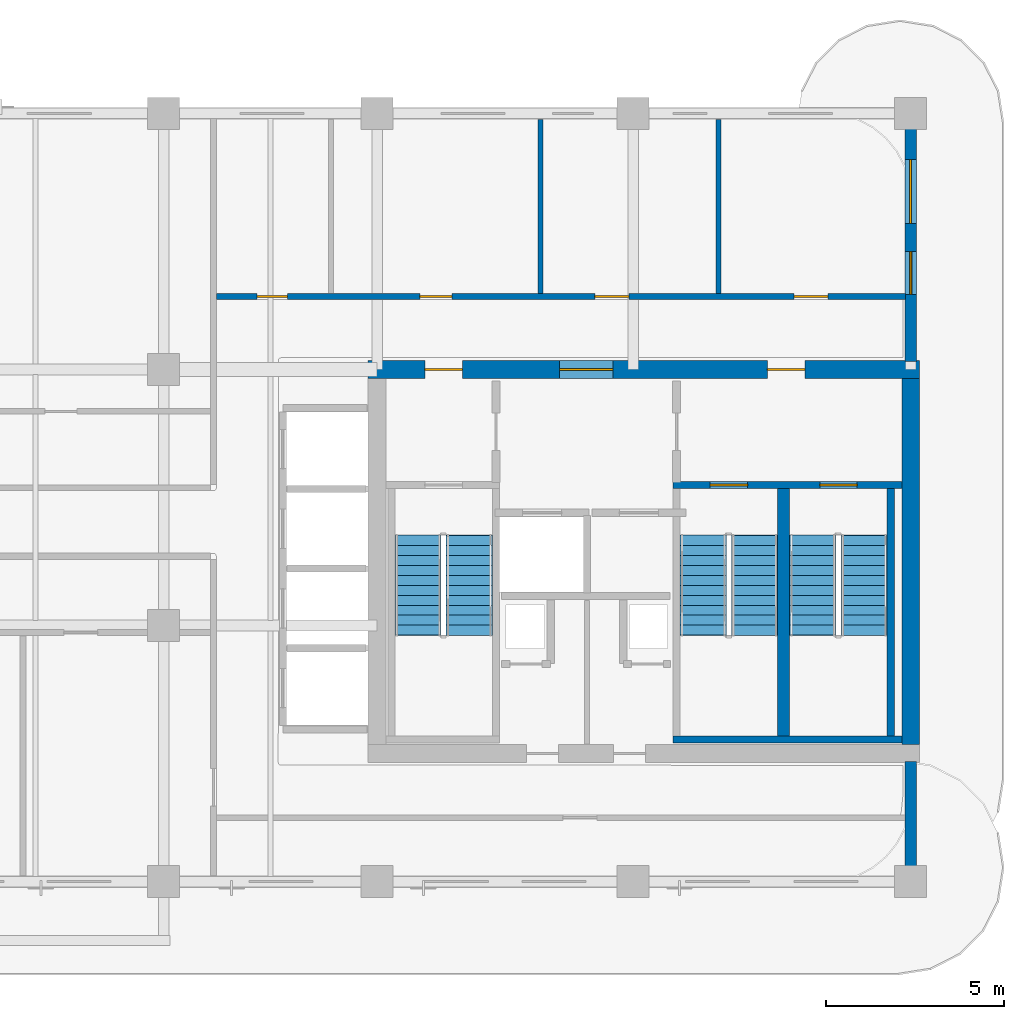
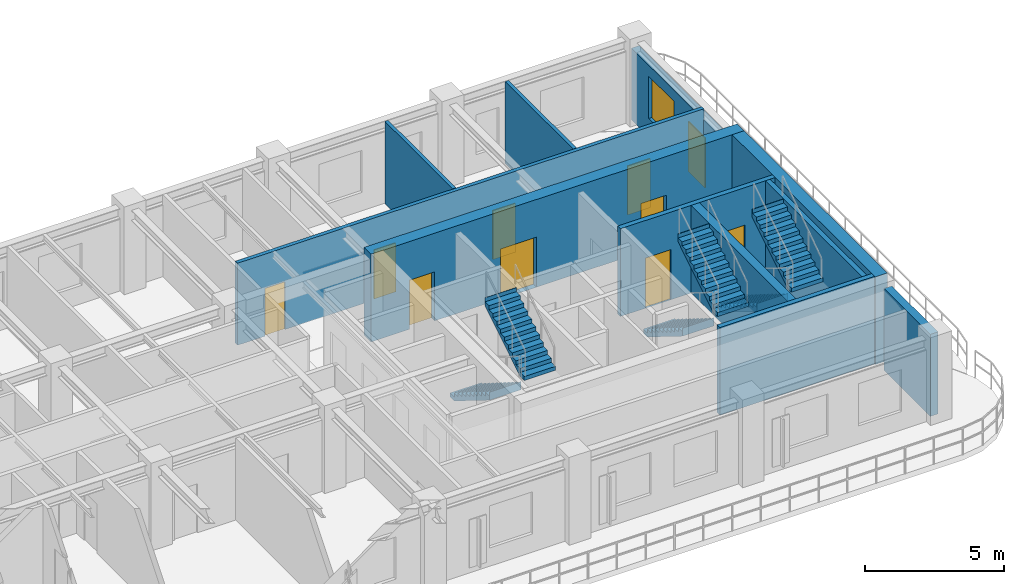
# One storey, part 5 of 7: 11 walls, 10 doors, 6 stair flights, 1 window, 11 openings, 3 elements without a shape of their own.
"""IFC4 building model written with IfcOpenShell, lengths in metres."""

from ifc_helpers import new_model, si_unit, derived_unit, direction, frame, frame_2d, origin, place, context, subcontext, project, spatial, polyline, rectangle, outline, extrude, source, transform, mapped, material, layer, layer_set, type_object, type_shapes, element, fill, aggregate, save


model = new_model("IFC4")

# Units and contexts
model_context = context("Model", 3, precision=1e-05, world=origin(), true_north=direction((0.0, 1.0)))
body_context = subcontext(model_context, "Body", "Model", "MODEL_VIEW")
ifc_project = project(units=[si_unit("LENGTHUNIT", "METRE"), si_unit("AREAUNIT", "SQUARE_METRE"), si_unit("VOLUMEUNIT", "CUBIC_METRE"), si_unit("PLANEANGLEUNIT", "RADIAN"), si_unit("MASSUNIT", "GRAM", prefix="KILO"), si_unit("THERMODYNAMICTEMPERATUREUNIT", "KELVIN"), si_unit("POWERUNIT", "WATT"), derived_unit("THERMALTRANSMITTANCEUNIT", [(si_unit("POWERUNIT", "WATT"), 1), (si_unit("AREAUNIT", "SQUARE_METRE"), -1), (si_unit("THERMODYNAMICTEMPERATUREUNIT", "KELVIN"), -1)])], contexts=[model_context])

# Site, building, storey
site_placement = place(None, origin())
site = spatial("IfcSite", under=ifc_project, at=site_placement, CompositionType="ELEMENT")
building_placement = place(site_placement, origin())
building = spatial("IfcBuilding", under=site, at=building_placement, Name="Zahravan Archway Hotel and Residences", CompositionType="ELEMENT")
storey_placement = place(building_placement, frame((0.0, 0.0, 217.300048828125)))
storey = spatial("IfcBuildingStorey", under=building, at=storey_placement, Name="L54", CompositionType="ELEMENT", Elevation=217.300048828125)

# Wall, openings, doors
ifc_material_1 = material(Name="Concrete C60/75", Category="concrete")
ifc_layer_1 = layer(ifc_material_1, 0.5, Name="Concrete C60/75", Category="concrete")
ifc_layer_set_1 = layer_set([ifc_layer_1], Name="Concrete C60/75")
wall_type_1 = type_object("IfcWallType", Name="CW-CORE-500", PredefinedType="SHEAR", material=ifc_layer_set_1)
wall_1_placement = place(storey_placement, frame((34.550048828125, 14.39990234375, 0.0), z_axis=(0.0, 0.0, 1.0), x_axis=(1.0, 0.0, 0.0)))
wall_1 = element("IfcWall", 1, at=wall_1_placement, inside=storey, type_object=wall_type_1, Name="L54 Core A Shear N Wall 500 mm", PredefinedType="SHEAR", context=body_context, shape_type="SweptSolid", body=[
    extrude(rectangle(XDim=15.5, YDim=0.5, at=frame_2d((7.75, 0.0))), origin(), (0.0, 0.0, 1.0), 3.849853515625),
])
opening_1_placement = place(wall_1_placement, frame((5.3798828125, 0.0, 0.0)))
opening_1 = element("IfcOpeningElement", 2, at=opening_1_placement, cuts=wall_1, Name="Opening FD-L1", PredefinedType="OPENING", context=body_context, shape_type="SweptSolid", body=[
    extrude(rectangle(XDim=1.5, YDim=2.199951171875, at=frame_2d((0.75, 1.10009765625))), frame((0.0, 0.260009765625, 0.0), z_axis=(0.0, -1.0, 0.0), x_axis=(1.0, 0.0, 0.0)), (0.0, 0.0, 1.0), 0.52001953125),
])
opening_2_placement = place(wall_1_placement, frame((1.594970703125, 0.0, 0.0)))
opening_2 = element("IfcOpeningElement", 3, at=opening_2_placement, cuts=wall_1, Name="Opening FD-L2", PredefinedType="OPENING", context=body_context, shape_type="SweptSolid", body=[
    extrude(rectangle(XDim=1.050048828125, YDim=2.14990234375, at=frame_2d((0.52490234375, 1.074951171875))), frame((0.0, 0.260009765625, 0.0), z_axis=(0.0, -1.0, 0.0), x_axis=(1.0, 0.0, 0.0)), (0.0, 0.0, 1.0), 0.52001953125),
])
opening_3_placement = place(wall_1_placement, frame((11.22509765625, 0.0, 0.0)))
opening_3 = element("IfcOpeningElement", 4, at=opening_3_placement, cuts=wall_1, Name="Opening FD-L2", PredefinedType="OPENING", context=body_context, shape_type="SweptSolid", body=[
    extrude(rectangle(XDim=1.050048828125, YDim=2.14990234375, at=frame_2d((0.52490234375, 1.074951171875))), frame((0.0, 0.260009765625, 0.0), z_axis=(0.0, -1.0, 0.0), x_axis=(1.0, 0.0, 0.0)), (0.0, 0.0, 1.0), 0.52001953125),
])
ifc_material_2 = material(Name="Fire-Rated Painted Steel", Category="steel")
door_type_1 = type_object("IfcDoorType", Name="FD-LOBBY-1100", OperationType="NOTDEFINED", PredefinedType="DOOR", material=ifc_material_2)
shared_shape_1 = source(origin(), body_context, "Body", "SweptSolid", [
    extrude(rectangle(XDim=1.050048828125, YDim=2.14990234375, at=frame_2d((0.52490234375, 1.074951171875))), frame((0.0, 0.02490234375, 0.0), z_axis=(0.0, -1.0, 0.0), x_axis=(1.0, 0.0, 0.0)), (0.0, 0.0, 1.0), 0.050048828125),
])
type_shapes(door_type_1, [shared_shape_1])
door_1_placement = place(opening_2_placement, origin())
door_1 = element("IfcDoor", 5, at=door_1_placement, inside=storey, type_object=door_type_1, Name="L54 Core A West Stair Lobby Door", OperationType="SINGLE_SWING_LEFT", OverallHeight=2.14990234375, OverallWidth=1.050048828125, PredefinedType="DOOR", context=body_context, shape_type="MappedRepresentation", body=[
    mapped(shared_shape_1, transform((0.0, 0.0, 0.0), scale=1.0)),
])
fill(opening_2, door_1)
door_2_placement = place(opening_3_placement, origin())
door_2 = element("IfcDoor", 6, at=door_2_placement, inside=storey, type_object=door_type_1, Name="L54 Core A East Stair Lobby Door", OperationType="SINGLE_SWING_RIGHT", OverallHeight=2.14990234375, OverallWidth=1.050048828125, PredefinedType="DOOR", context=body_context, shape_type="MappedRepresentation", body=[
    mapped(shared_shape_1, transform((0.0, 0.0, 0.0), scale=1.0)),
])
fill(opening_3, door_2)
door_type_2 = type_object("IfcDoorType", Name="FD-LOBBY-1500", OperationType="DOUBLE_DOOR_SINGLE_SWING", PredefinedType="DOOR", material=ifc_material_2)
shared_shape_2 = source(origin(), body_context, "Body", "SweptSolid", [
    extrude(rectangle(XDim=1.5, YDim=2.199951171875, at=frame_2d((0.75, 1.10009765625))), frame((0.0, 0.02490234375, 0.0), z_axis=(0.0, -1.0, 0.0), x_axis=(1.0, 0.0, 0.0)), (0.0, 0.0, 1.0), 0.050048828125),
])
type_shapes(door_type_2, [shared_shape_2])
door_3_placement = place(opening_1_placement, origin())
door_3 = element("IfcDoor", 7, at=door_3_placement, inside=storey, type_object=door_type_2, Name="L54 Core A FSAE Lobby Main Door", OperationType="DOUBLE_DOOR_SINGLE_SWING", OverallHeight=2.199951171875, OverallWidth=1.5, PredefinedType="DOOR", context=body_context, shape_type="MappedRepresentation", body=[
    mapped(shared_shape_2, transform((0.0, 0.0, 0.0), scale=1.0)),
])
fill(opening_1, door_3)

# Walls
wall_2_placement = place(storey_placement, frame((49.800048828125, 3.85009765625, 0.0), z_axis=(0.0, 0.0, 1.0), x_axis=(0.0, 1.0, 0.0)))
element("IfcWall", 8, at=wall_2_placement, inside=storey, type_object=wall_type_1, Name="L54 Core A Shear E Wall 500 mm", PredefinedType="SHEAR", context=body_context, shape_type="SweptSolid", body=[
    extrude(rectangle(XDim=10.2998046875, YDim=0.5, at=frame_2d((5.14990234375, 0.0))), origin(), (0.0, 0.0, 1.0), 3.849853515625),
])
ifc_material_3 = material(Name="Agra Buff Sandstone & Insulated Backup", Category="masonry")
ifc_layer_2 = layer(ifc_material_3, 0.320068359375, Name="Agra Buff Sandstone & Insulated Backup", Category="masonry")
ifc_layer_set_2 = layer_set([ifc_layer_2], Name="Agra Buff Sandstone & Insulated Backup")
wall_type_2 = type_object("IfcWallType", Name="EW-SAND-320", PredefinedType="SOLIDWALL", material=ifc_layer_set_2)
wall_3_placement = place(storey_placement, frame((49.800048828125, 0.050048828125, 0.0), z_axis=(0.0, 0.0, 1.0), x_axis=(0.0, 1.0, 0.0)))
element("IfcWall", 9, at=wall_3_placement, inside=storey, type_object=wall_type_2, Name="L54 Exterior Sandstone Wall WA-ES", PredefinedType="SOLIDWALL", context=body_context, shape_type="SweptSolid", body=[
    extrude(rectangle(XDim=3.329833984375, YDim=0.320068359375, at=frame_2d((1.6650390625, 0.0))), origin(), (0.0, 0.0, 1.0), 3.599853515625),
])

# Wall, openings, door, window
wall_4_placement = place(storey_placement, frame((49.800048828125, 14.6201171875, 0.0), z_axis=(0.0, 0.0, 1.0), x_axis=(0.0, 1.0, 0.0)))
wall_4 = element("IfcWall", 10, at=wall_4_placement, inside=storey, type_object=wall_type_2, Name="L54 Exterior Sandstone Wall WA-EN", PredefinedType="SOLIDWALL", context=body_context, shape_type="SweptSolid", body=[
    extrude(rectangle(XDim=6.929931640625, YDim=0.320068359375, at=frame_2d((3.46484375, 0.0))), origin(), (0.0, 0.0, 1.0), 3.135009765625),
])
opening_4_placement = place(wall_4_placement, frame((1.888916015625, 0.0, 0.0)))
opening_4 = element("IfcOpeningElement", 11, at=opening_4_placement, cuts=wall_4, Name="Opening ED-BL1", PredefinedType="OPENING", context=body_context, shape_type="SweptSolid", body=[
    extrude(rectangle(XDim=1.199951171875, YDim=2.199951171875, at=frame_2d((0.60009765625, 1.10009765625))), frame((0.0, 0.169921875, 0.0), z_axis=(0.0, -1.0, 0.0), x_axis=(1.0, 0.0, 0.0)), (0.0, 0.0, 1.0), 0.340087890625),
])
opening_5_placement = place(wall_4_placement, frame((3.884033203125, 0.0, 0.800048828125)))
opening_5 = element("IfcOpeningElement", 12, at=opening_5_placement, cuts=wall_4, Name="Opening W-02", PredefinedType="OPENING", context=body_context, shape_type="SweptSolid", body=[
    extrude(rectangle(XDim=1.800048828125, YDim=1.85009765625, at=frame_2d((0.89990234375, 0.925048828125))), frame((0.0, 0.169921875, 0.0), z_axis=(0.0, -1.0, 0.0), x_axis=(1.0, 0.0, 0.0)), (0.0, 0.0, 1.0), 0.340087890625),
])
ifc_material_4 = material(Name="Bronze-Anodized Glazed Aluminium", Category="aluminium")
door_type_3 = type_object("IfcDoorType", Name="ED-BALC-1200", OperationType="SLIDING_TO_LEFT", PredefinedType="DOOR", material=ifc_material_4)
shared_shape_3 = source(origin(), body_context, "Body", "SweptSolid", [
    extrude(rectangle(XDim=1.199951171875, YDim=2.199951171875, at=frame_2d((0.60009765625, 1.10009765625))), frame((0.0, 0.02490234375, 0.0), z_axis=(0.0, -1.0, 0.0), x_axis=(1.0, 0.0, 0.0)), (0.0, 0.0, 1.0), 0.050048828125),
])
type_shapes(door_type_3, [shared_shape_3])
door_4_placement = place(opening_4_placement, origin())
door_4 = element("IfcDoor", 13, at=door_4_placement, inside=storey, type_object=door_type_3, Name="L54 Outdoor Access Sliding Door (SLB-BAL-L54-EA)", OperationType="SLIDING_TO_LEFT", OverallHeight=2.199951171875, OverallWidth=1.199951171875, PredefinedType="DOOR", context=body_context, shape_type="MappedRepresentation", body=[
    mapped(shared_shape_3, transform((0.0, 0.0, 0.0), scale=1.0)),
])
fill(opening_4, door_4)
ifc_material_5 = material(Name="Bronze-Anodized Thermal-Break Aluminium & Low-E Glass", Category="aluminium")
window_type = type_object("IfcWindowType", Name="WIN-TWR-1800", PartitioningType="DOUBLE_PANEL_VERTICAL", PredefinedType="WINDOW", material=ifc_material_5)
shared_shape_4 = source(origin(), body_context, "Body", "SweptSolid", [
    extrude(rectangle(XDim=1.800048828125, YDim=1.85009765625, at=frame_2d((0.89990234375, 0.925048828125))), frame((0.0, 0.030029296875, 0.0), z_axis=(0.0, -1.0, 0.0), x_axis=(1.0, 0.0, 0.0)), (0.0, 0.0, 1.0), 0.06005859375),
])
type_shapes(window_type, [shared_shape_4])
window_placement = place(opening_5_placement, origin())
window = element("IfcWindow", 14, at=window_placement, inside=storey, type_object=window_type, Name="L54 Loggia Window 10", OverallHeight=1.85009765625, OverallWidth=1.800048828125, PartitioningType="DOUBLE_PANEL_VERTICAL", PredefinedType="WINDOW", context=body_context, shape_type="MappedRepresentation", body=[
    mapped(shared_shape_4, transform((0.0, 0.0, 0.0), scale=1.0)),
])
fill(opening_5, window)

# Wall, openings, doors
ifc_material_6 = material(Name="Fire-Rated Gypsum & Concrete Block", Category="concrete")
ifc_layer_3 = layer(ifc_material_6, 0.159912109375, Name="Fire-Rated Gypsum & Concrete Block", Category="concrete")
ifc_layer_set_3 = layer_set([ifc_layer_3], Name="Fire-Rated Gypsum & Concrete Block")
wall_type_3 = type_object("IfcWallType", Name="PW-CORR-160", PredefinedType="PARTITIONING", material=ifc_layer_set_3)
wall_5_placement = place(storey_placement, frame((30.2900390625, 16.449951171875, 0.0), z_axis=(0.0, 0.0, 1.0), x_axis=(1.0, 0.0, 0.0)))
wall_5 = element("IfcWall", 15, at=wall_5_placement, inside=storey, type_object=wall_type_3, Name="L54 Partition WA-FN", PredefinedType="PARTITIONING", context=body_context, shape_type="SweptSolid", body=[
    extrude(rectangle(XDim=19.369873046875, YDim=0.159912109375, at=frame_2d((9.68505859375, 0.0))), origin(), (0.0, 0.0, 1.0), 3.599853515625),
])
opening_6_placement = place(wall_5_placement, frame((1.135009765625, 0.0, 0.0)))
opening_6 = element("IfcOpeningElement", 16, at=opening_6_placement, cuts=wall_5, Name="Opening D-B1", PredefinedType="OPENING", context=body_context, shape_type="SweptSolid", body=[
    extrude(rectangle(XDim=0.85009765625, YDim=2.10009765625, at=frame_2d((0.425048828125, 1.050048828125))), frame((0.0, 0.08984375, 0.0), z_axis=(0.0, -1.0, 0.0), x_axis=(1.0, 0.0, 0.0)), (0.0, 0.0, 1.0), 0.179931640625),
])
opening_7_placement = place(wall_5_placement, frame((5.7099609375, 0.0, 0.0)))
opening_7 = element("IfcOpeningElement", 17, at=opening_7_placement, cuts=wall_5, Name="Opening D-I2", PredefinedType="OPENING", context=body_context, shape_type="SweptSolid", body=[
    extrude(rectangle(XDim=0.89990234375, YDim=2.14990234375, at=frame_2d((0.449951171875, 1.074951171875))), frame((0.0, 0.08984375, 0.0), z_axis=(0.0, -1.0, 0.0), x_axis=(1.0, 0.0, 0.0)), (0.0, 0.0, 1.0), 0.179931640625),
])
opening_8_placement = place(wall_5_placement, frame((10.635009765625, 0.0, 0.0)))
opening_8 = element("IfcOpeningElement", 18, at=opening_8_placement, cuts=wall_5, Name="Opening D-I1", PredefinedType="OPENING", context=body_context, shape_type="SweptSolid", body=[
    extrude(rectangle(XDim=0.949951171875, YDim=2.14990234375, at=frame_2d((0.47509765625, 1.074951171875))), frame((0.0, 0.08984375, 0.0), z_axis=(0.0, -1.0, 0.0), x_axis=(1.0, 0.0, 0.0)), (0.0, 0.0, 1.0), 0.179931640625),
])
opening_9_placement = place(wall_5_placement, frame((16.235107421875, 0.0, 0.0)))
opening_9 = element("IfcOpeningElement", 19, at=opening_9_placement, cuts=wall_5, Name="Opening D-I1", PredefinedType="OPENING", context=body_context, shape_type="SweptSolid", body=[
    extrude(rectangle(XDim=0.949951171875, YDim=2.14990234375, at=frame_2d((0.47509765625, 1.074951171875))), frame((0.0, 0.08984375, 0.0), z_axis=(0.0, -1.0, 0.0), x_axis=(1.0, 0.0, 0.0)), (0.0, 0.0, 1.0), 0.179931640625),
])
ifc_material_7 = material(Name="Hardwood Veneer Timber", Category="wood")
door_type_4 = type_object("IfcDoorType", Name="ID-BATH-850", OperationType="NOTDEFINED", PredefinedType="DOOR", material=ifc_material_7)
shared_shape_5 = source(origin(), body_context, "Body", "SweptSolid", [
    extrude(rectangle(XDim=0.85009765625, YDim=2.10009765625, at=frame_2d((0.425048828125, 1.050048828125))), frame((0.0, 0.02490234375, 0.0), z_axis=(0.0, -1.0, 0.0), x_axis=(1.0, 0.0, 0.0)), (0.0, 0.0, 1.0), 0.050048828125),
])
type_shapes(door_type_4, [shared_shape_5])
door_5_placement = place(opening_6_placement, origin())
door_5 = element("IfcDoor", 20, at=door_5_placement, inside=storey, type_object=door_type_4, Name="L54 Accessible WC Door", OperationType="SINGLE_SWING_LEFT", OverallHeight=2.10009765625, OverallWidth=0.85009765625, PredefinedType="DOOR", context=body_context, shape_type="MappedRepresentation", body=[
    mapped(shared_shape_5, transform((0.0, 0.0, 0.0), scale=1.0)),
])
fill(opening_6, door_5)
door_type_5 = type_object("IfcDoorType", Name="ID-INT-950", OperationType="NOTDEFINED", PredefinedType="DOOR", material=ifc_material_7)
shared_shape_6 = source(origin(), body_context, "Body", "SweptSolid", [
    extrude(rectangle(XDim=0.949951171875, YDim=2.14990234375, at=frame_2d((0.47509765625, 1.074951171875))), frame((0.0, 0.02490234375, 0.0), z_axis=(0.0, -1.0, 0.0), x_axis=(1.0, 0.0, 0.0)), (0.0, 0.0, 1.0), 0.050048828125),
])
type_shapes(door_type_5, [shared_shape_6])
door_6_placement = place(opening_8_placement, origin())
door_6 = element("IfcDoor", 21, at=door_6_placement, inside=storey, type_object=door_type_5, Name="L54 Boardroom Door", OperationType="SINGLE_SWING_LEFT", OverallHeight=2.14990234375, OverallWidth=0.949951171875, PredefinedType="DOOR", context=body_context, shape_type="MappedRepresentation", body=[
    mapped(shared_shape_6, transform((0.0, 0.0, 0.0), scale=1.0)),
])
fill(opening_8, door_6)
door_7_placement = place(opening_9_placement, origin())
door_7 = element("IfcDoor", 22, at=door_7_placement, inside=storey, type_object=door_type_5, Name="L54 Therapy Clinic Door", OperationType="SINGLE_SWING_RIGHT", OverallHeight=2.14990234375, OverallWidth=0.949951171875, PredefinedType="DOOR", context=body_context, shape_type="MappedRepresentation", body=[
    mapped(shared_shape_6, transform((0.0, 0.0, 0.0), scale=1.0)),
])
fill(opening_9, door_7)
door_type_6 = type_object("IfcDoorType", Name="ID-INT-900", OperationType="NOTDEFINED", PredefinedType="DOOR", material=ifc_material_7)
shared_shape_7 = source(origin(), body_context, "Body", "SweptSolid", [
    extrude(rectangle(XDim=0.89990234375, YDim=2.14990234375, at=frame_2d((0.449951171875, 1.074951171875))), frame((0.0, 0.02490234375, 0.0), z_axis=(0.0, -1.0, 0.0), x_axis=(1.0, 0.0, 0.0)), (0.0, 0.0, 1.0), 0.050048828125),
])
type_shapes(door_type_6, [shared_shape_7])
door_8_placement = place(opening_7_placement, origin())
door_8 = element("IfcDoor", 23, at=door_8_placement, inside=storey, type_object=door_type_6, Name="L54 Pantry Door", OperationType="SINGLE_SWING_RIGHT", OverallHeight=2.14990234375, OverallWidth=0.89990234375, PredefinedType="DOOR", context=body_context, shape_type="MappedRepresentation", body=[
    mapped(shared_shape_7, transform((0.0, 0.0, 0.0), scale=1.0)),
])
fill(opening_7, door_8)

# Walls
ifc_material_8 = material(Name="Moisture-Resistant Blockwork", Category="masonry")
ifc_layer_4 = layer(ifc_material_8, 0.139892578125, Name="Moisture-Resistant Blockwork", Category="masonry")
ifc_layer_set_4 = layer_set([ifc_layer_4], Name="Moisture-Resistant Blockwork")
wall_type_4 = type_object("IfcWallType", Name="PW-WET-140", PredefinedType="PARTITIONING", material=ifc_layer_set_4)
for number, where, z_axis, x_axis, name in (
    (24, (39.39990234375, 16.5400390625, 0.0), (0.0, 0.0, 1.0), (0.0, 1.0, 0.0), "L54 Partition NE2-2"),
    (25, (44.39990234375, 16.5400390625, 0.0), (0.0, 0.0, 1.0), (0.0, 1.0, 0.0), "L54 Partition NE2-3"),
):
    element("IfcWall", number, at=place(storey_placement, frame(where, z_axis=z_axis, x_axis=x_axis)), inside=storey, type_object=wall_type_4, Name=name, PredefinedType="PARTITIONING", context=body_context, shape_type="SweptSolid", body=[
        extrude(rectangle(XDim=4.891845703125, YDim=0.139892578125, at=frame_2d((2.44580078125, 0.0))), origin(), (0.0, 0.0, 1.0), 3.599853515625),
    ])
ifc_material_9 = material(Name="Concrete C50/60", Category="concrete")
ifc_layer_5 = layer(ifc_material_9, 0.199951171875, Name="Concrete C50/60", Category="concrete")
ifc_layer_set_5 = layer_set([ifc_layer_5], Name="Concrete C50/60")
wall_type_5 = type_object("IfcWallType", Name="SW-STAIR-200", PredefinedType="SHEAR", material=ifc_layer_set_5)
wall_6_placement = place(storey_placement, frame((43.1201171875, 4.0, 0.0), z_axis=(0.0, 0.0, 1.0), x_axis=(1.0, 0.0, 0.0)))
element("IfcWall", 26, at=wall_6_placement, inside=storey, type_object=wall_type_5, Name="L54 Stairwell RC Wall CA-SA23S", PredefinedType="SHEAR", context=body_context, shape_type="SweptSolid", body=[
    extrude(rectangle(XDim=6.429931640625, YDim=0.199951171875, at=frame_2d((3.21484375, 0.0))), origin(), (0.0, 0.0, 1.0), 3.849853515625),
])
wall_7_placement = place(storey_placement, frame((49.239990234375, 4.10009765625, 0.0), z_axis=(0.0, 0.0, 1.0), x_axis=(0.0, 1.0, 0.0)))
element("IfcWall", 27, at=wall_7_placement, inside=storey, type_object=wall_type_5, Name="L54 Stairwell RC Wall CA-SA3E", PredefinedType="SHEAR", context=body_context, shape_type="SweptSolid", body=[
    extrude(rectangle(XDim=6.949951171875, YDim=0.199951171875, at=frame_2d((3.47509765625, 0.0))), origin(), (0.0, 0.0, 1.0), 3.849853515625),
])

# Wall, openings, doors
wall_8_placement = place(storey_placement, frame((43.1201171875, 11.14990234375, 0.0), z_axis=(0.0, 0.0, 1.0), x_axis=(1.0, 0.0, 0.0)))
wall_8 = element("IfcWall", 28, at=wall_8_placement, inside=storey, type_object=wall_type_5, Name="L54 Stairwell RC Wall CA-SA23N", PredefinedType="SHEAR", context=body_context, shape_type="SweptSolid", body=[
    extrude(rectangle(XDim=6.429931640625, YDim=0.199951171875, at=frame_2d((3.21484375, 0.0))), origin(), (0.0, 0.0, 1.0), 3.849853515625),
])
opening_10_placement = place(wall_8_placement, frame((1.044921875, 0.0, 0.0)))
opening_10 = element("IfcOpeningElement", 29, at=opening_10_placement, cuts=wall_8, Name="Opening FD-S1", PredefinedType="OPENING", context=body_context, shape_type="SweptSolid", body=[
    extrude(rectangle(XDim=1.050048828125, YDim=2.199951171875, at=frame_2d((0.52490234375, 1.10009765625))), frame((0.0, 0.10986328125, 0.0), z_axis=(0.0, -1.0, 0.0), x_axis=(1.0, 0.0, 0.0)), (0.0, 0.0, 1.0), 0.219970703125),
])
opening_11_placement = place(wall_8_placement, frame((4.125, 0.0, 0.0)))
opening_11 = element("IfcOpeningElement", 30, at=opening_11_placement, cuts=wall_8, Name="Opening FD-S1", PredefinedType="OPENING", context=body_context, shape_type="SweptSolid", body=[
    extrude(rectangle(XDim=1.050048828125, YDim=2.199951171875, at=frame_2d((0.52490234375, 1.10009765625))), frame((0.0, 0.10986328125, 0.0), z_axis=(0.0, -1.0, 0.0), x_axis=(1.0, 0.0, 0.0)), (0.0, 0.0, 1.0), 0.219970703125),
])
door_type_7 = type_object("IfcDoorType", Name="FD-STAIR-1100", OperationType="NOTDEFINED", PredefinedType="DOOR", material=ifc_material_2)
shared_shape_8 = source(origin(), body_context, "Body", "SweptSolid", [
    extrude(rectangle(XDim=1.050048828125, YDim=2.199951171875, at=frame_2d((0.52490234375, 1.10009765625))), frame((0.0, 0.02490234375, 0.0), z_axis=(0.0, -1.0, 0.0), x_axis=(1.0, 0.0, 0.0)), (0.0, 0.0, 1.0), 0.050048828125),
])
type_shapes(door_type_7, [shared_shape_8])
door_9_placement = place(opening_10_placement, origin())
door_9 = element("IfcDoor", 31, at=door_9_placement, inside=storey, type_object=door_type_7, Name="L54 Stair ST-A2 Door", OperationType="SINGLE_SWING_LEFT", OverallHeight=2.199951171875, OverallWidth=1.050048828125, PredefinedType="DOOR", context=body_context, shape_type="MappedRepresentation", body=[
    mapped(shared_shape_8, transform((0.0, 0.0, 0.0), scale=1.0)),
])
fill(opening_10, door_9)
door_10_placement = place(opening_11_placement, origin())
door_10 = element("IfcDoor", 32, at=door_10_placement, inside=storey, type_object=door_type_7, Name="L54 Stair ST-A3 Door", OperationType="SINGLE_SWING_RIGHT", OverallHeight=2.199951171875, OverallWidth=1.050048828125, PredefinedType="DOOR", context=body_context, shape_type="MappedRepresentation", body=[
    mapped(shared_shape_8, transform((0.0, 0.0, 0.0), scale=1.0)),
])
fill(opening_11, door_10)

# Wall
ifc_layer_6 = layer(ifc_material_9, 0.340087890625, Name="Concrete C50/60", Category="concrete")
ifc_layer_set_6 = layer_set([ifc_layer_6], Name="Concrete C50/60")
wall_type_6 = type_object("IfcWallType", Name="SW-STAIR-340", PredefinedType="SHEAR", material=ifc_layer_set_6)
wall_9_placement = place(storey_placement, frame((46.22998046875, 4.10009765625, 0.0), z_axis=(0.0, 0.0, 1.0), x_axis=(0.0, 1.0, 0.0)))
element("IfcWall", 33, at=wall_9_placement, inside=storey, type_object=wall_type_6, Name="L54 Stairwell RC Wall CA-SA23M", PredefinedType="SHEAR", context=body_context, shape_type="SweptSolid", body=[
    extrude(rectangle(XDim=6.949951171875, YDim=0.340087890625, at=frame_2d((3.47509765625, 0.0))), origin(), (0.0, 0.0, 1.0), 3.849853515625),
])

# Stair, stair flights
stair_type = type_object("IfcStairType", Name="STR-CORE-1300", PredefinedType="HALF_TURN_STAIR", material=ifc_material_9)
stair_1_placement = place(storey_placement, origin())
stair_1 = element("IfcStair", 34, at=stair_1_placement, inside=storey, type_object=stair_type, Name="L54 Core A Exit Stair 1", PredefinedType="HALF_TURN_STAIR")
ifc_layer_7 = layer(ifc_material_9, 0.199951171875, Name="Concrete C50/60", Category="concrete")
ifc_layer_set_7 = layer_set([ifc_layer_7], Name="Concrete C50/60")
stair_flight_type = type_object("IfcStairFlightType", Name="SFL-CORE-1300", PredefinedType="STRAIGHT", material=ifc_layer_set_7)
shared_shape_9 = source(origin(), body_context, "Body", "SweptSolid", [
    extrude(outline(polyline([(-0.01611328125, 0.0), (-0.01611328125, 0.175048828125), (0.280029296875, 0.175048828125), (0.280029296875, 0.35009765625), (0.56005859375, 0.35009765625), (0.56005859375, 0.52490234375), (0.840087890625, 0.52490234375), (0.840087890625, 0.699951171875), (1.1201171875, 0.699951171875), (1.1201171875, 0.875), (1.39990234375, 0.875), (1.39990234375, 1.050048828125), (1.679931640625, 1.050048828125), (1.679931640625, 1.22509765625), (1.9599609375, 1.22509765625), (1.9599609375, 1.39990234375), (2.239990234375, 1.39990234375), (2.239990234375, 1.574951171875), (2.52001953125, 1.574951171875), (2.52001953125, 1.75), (2.800048828125, 1.75), (2.800048828125, 1.925048828125), (2.816162109375, 1.925048828125), (2.816162109375, 1.5732421875), (0.28271484375, 0.0), (-0.01611328125, 0.0)])), frame((0.0, 0.64990234375, 0.0), z_axis=(0.0, -1.0, 0.0), x_axis=(1.0, 0.0, 0.0)), (0.0, 0.0, 1.0), 1.300048828125),
])
stair_flight_1_placement = place(storey_placement, frame((35.949951171875, 9.72998046875, 0.0), z_axis=(0.0, 0.0, 1.0), x_axis=(0.0, -1.0, 0.0)))
stair_flight_1 = element("IfcStairFlight", 35, at=stair_flight_1_placement, type_object=stair_flight_type, Name="ST-A1 flight 1", NumberOfRisers=11, NumberOfTreads=10, PredefinedType="STRAIGHT", RiserHeight=0.175, TreadLength=0.28, context=body_context, shape_type="MappedRepresentation", body=[
    mapped(shared_shape_9, transform((0.0, 0.0, 0.0), scale=1.0)),
])
stair_flight_2_placement = place(storey_placement, frame((37.389892578125, 6.929931640625, 1.925048828125), z_axis=(0.0, 0.0, 1.0), x_axis=(0.0, 1.0, 0.0)))
stair_flight_2 = element("IfcStairFlight", 36, at=stair_flight_2_placement, type_object=stair_flight_type, Name="ST-A1 flight 2", NumberOfRisers=11, NumberOfTreads=10, PredefinedType="STRAIGHT", RiserHeight=0.175, TreadLength=0.28, context=body_context, shape_type="MappedRepresentation", body=[
    mapped(shared_shape_9, transform((0.0, 0.0, 0.0), scale=1.0)),
])
aggregate(stair_1, [stair_flight_1, stair_flight_2])

stair_2_placement = place(storey_placement, origin())
stair_2 = element("IfcStair", 37, at=stair_2_placement, inside=storey, type_object=stair_type, Name="L54 Core A Exit Stair 2", PredefinedType="HALF_TURN_STAIR")
stair_flight_3_placement = place(storey_placement, frame((43.969970703125, 9.72998046875, 0.0), z_axis=(0.0, 0.0, 1.0), x_axis=(0.0, -1.0, 0.0)))
stair_flight_3 = element("IfcStairFlight", 38, at=stair_flight_3_placement, type_object=stair_flight_type, Name="ST-A2 flight 1", NumberOfRisers=11, NumberOfTreads=10, PredefinedType="STRAIGHT", RiserHeight=0.175, TreadLength=0.28, context=body_context, shape_type="MappedRepresentation", body=[
    mapped(shared_shape_9, transform((0.0, 0.0, 0.0), scale=1.0)),
])
stair_flight_4_placement = place(storey_placement, frame((45.409912109375, 6.929931640625, 1.925048828125), z_axis=(0.0, 0.0, 1.0), x_axis=(0.0, 1.0, 0.0)))
stair_flight_4 = element("IfcStairFlight", 39, at=stair_flight_4_placement, type_object=stair_flight_type, Name="ST-A2 flight 2", NumberOfRisers=11, NumberOfTreads=10, PredefinedType="STRAIGHT", RiserHeight=0.175, TreadLength=0.28, context=body_context, shape_type="MappedRepresentation", body=[
    mapped(shared_shape_9, transform((0.0, 0.0, 0.0), scale=1.0)),
])
aggregate(stair_2, [stair_flight_3, stair_flight_4])

stair_3_placement = place(storey_placement, origin())
stair_3 = element("IfcStair", 40, at=stair_3_placement, inside=storey, type_object=stair_type, Name="L54 Core A Exit Stair 3", PredefinedType="HALF_TURN_STAIR")
stair_flight_5_placement = place(storey_placement, frame((47.050048828125, 9.72998046875, 0.0), z_axis=(0.0, 0.0, 1.0), x_axis=(0.0, -1.0, 0.0)))
stair_flight_5 = element("IfcStairFlight", 41, at=stair_flight_5_placement, type_object=stair_flight_type, Name="ST-A3 flight 1", NumberOfRisers=11, NumberOfTreads=10, PredefinedType="STRAIGHT", RiserHeight=0.175, TreadLength=0.28, context=body_context, shape_type="MappedRepresentation", body=[
    mapped(shared_shape_9, transform((0.0, 0.0, 0.0), scale=1.0)),
])
stair_flight_6_placement = place(storey_placement, frame((48.489990234375, 6.929931640625, 1.925048828125), z_axis=(0.0, 0.0, 1.0), x_axis=(0.0, 1.0, 0.0)))
stair_flight_6 = element("IfcStairFlight", 42, at=stair_flight_6_placement, type_object=stair_flight_type, Name="ST-A3 flight 2", NumberOfRisers=11, NumberOfTreads=10, PredefinedType="STRAIGHT", RiserHeight=0.175, TreadLength=0.28, context=body_context, shape_type="MappedRepresentation", body=[
    mapped(shared_shape_9, transform((0.0, 0.0, 0.0), scale=1.0)),
])
aggregate(stair_3, [stair_flight_5, stair_flight_6])

save(model, "model.ifc")
